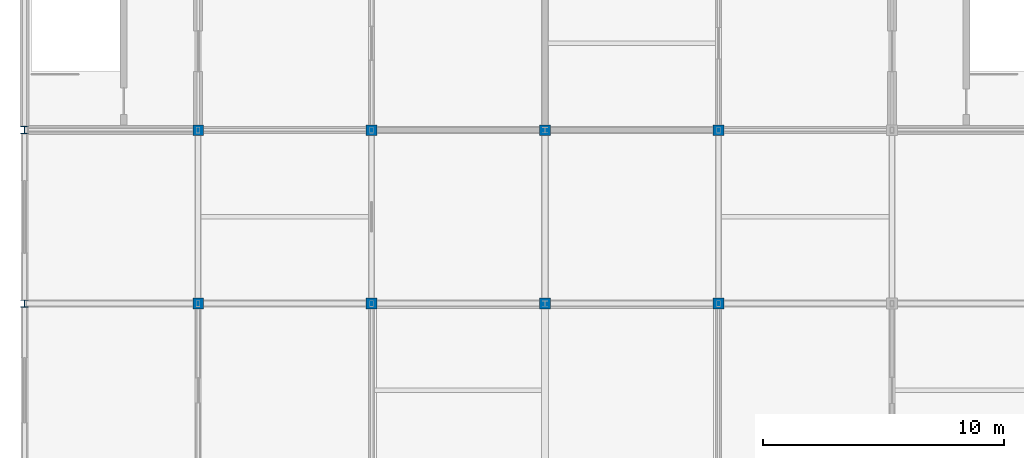
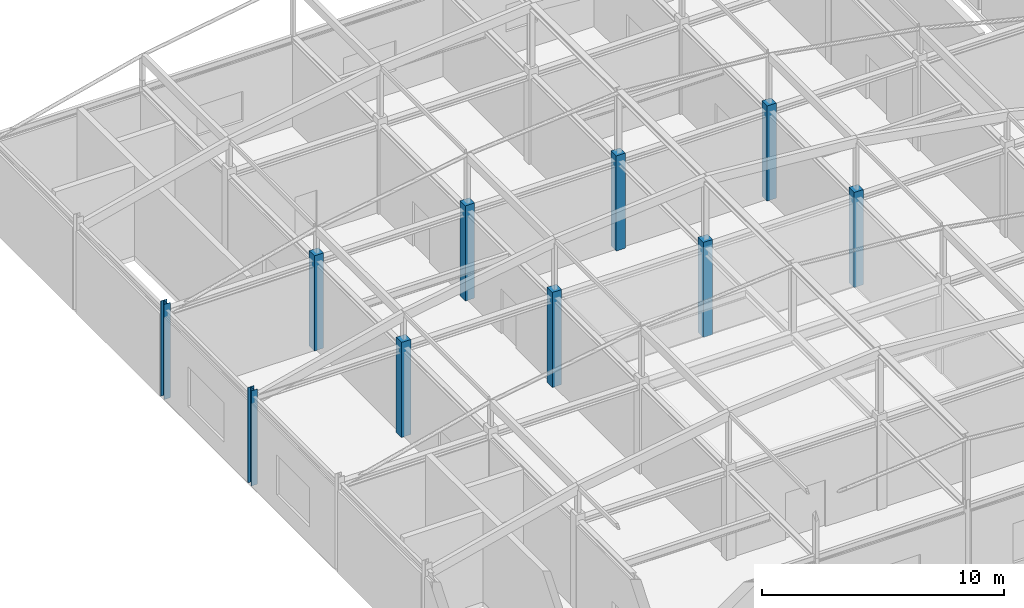
# One storey, part 3 of 23: 10 columns.
"""IFC4 building model written with IfcOpenShell, lengths in metres."""

from ifc_helpers import new_model, si_unit, direction, frame, origin, origin_2d, place, context, subcontext, project, spatial, rectangle, i_section, extrude, material, material_profile, profile_set, type_object, element, save


model = new_model("IFC4")

# Units and contexts
model_context = context("Model", 3, precision=1e-05, world=origin(), true_north=direction((0.0, 1.0)))
body_context = subcontext(model_context, "Body", "Model", "MODEL_VIEW")
ifc_project = project(units=[si_unit("LENGTHUNIT", "METRE"), si_unit("AREAUNIT", "SQUARE_METRE"), si_unit("VOLUMEUNIT", "CUBIC_METRE"), si_unit("PLANEANGLEUNIT", "RADIAN"), si_unit("MASSUNIT", "GRAM", prefix="KILO")], contexts=[model_context])

# Site, building, storey
site_placement = place(None, origin())
site = spatial("IfcSite", under=ifc_project, at=site_placement, CompositionType="ELEMENT")
building_placement = place(site_placement, origin())
building = spatial("IfcBuilding", under=site, at=building_placement, Name="Cendaluz Park School", CompositionType="ELEMENT")
storey_placement = place(building_placement, frame((0.0, 0.0, 67.199951171875)))
storey = spatial("IfcBuildingStorey", under=building, at=storey_placement, Name="L16", CompositionType="ELEMENT", Elevation=67.199951171875)

# Columns
ifc_material_1 = material(Name="Glulam GL32h", Category="wood")
ifc_material_profile_1 = material_profile(ifc_material_1, rectangle(XDim=0.43994140625, YDim=0.43994140625, at=origin_2d()), Name="GL32h 440x440", Category="wood")
ifc_profile_set_1 = profile_set([ifc_material_profile_1], Name="Glulam GL32h")
column_type_1 = type_object("IfcColumnType", Name="C-GL03", PredefinedType="COLUMN", material=ifc_profile_set_1)
for number, where, z_axis, x_axis, name in (
    (1, (72.0, 36.0, 0.0), (0.0, 0.0, 1.0), (1.0, 0.0, 0.0), "C-L16-CGL03-011"),
    (2, (72.0, 43.199951171875, 0.0), (0.0, 0.0, 1.0), (1.0, 0.0, 0.0), "C-L16-CGL03-012"),
    (3, (79.199951171875, 36.0, 0.0), (0.0, 0.0, 1.0), (1.0, 0.0, 0.0), "C-L16-CGL03-018"),
    (4, (79.199951171875, 43.199951171875, 0.0), (0.0, 0.0, 1.0), (1.0, 0.0, 0.0), "C-L16-CGL03-019"),
    (5, (86.39990234375, 36.0, 0.0), (0.0, 0.0, 1.0), (1.0, 0.0, 0.0), "C-L16-CGL03-024"),
    (6, (86.39990234375, 43.199951171875, 0.0), (0.0, 0.0, 1.0), (1.0, 0.0, 0.0), "C-L16-CGL03-025"),
    (7, (93.60009765625, 36.0, 0.0), (0.0, 0.0, 1.0), (1.0, 0.0, 0.0), "C-L16-CGL03-031"),
    (8, (93.60009765625, 43.199951171875, 0.0), (0.0, 0.0, 1.0), (1.0, 0.0, 0.0), "C-L16-CGL03-032"),
):
    element("IfcColumn", number, at=place(storey_placement, frame(where, z_axis=z_axis, x_axis=x_axis)), inside=storey, type_object=column_type_1, Name=name, PredefinedType="COLUMN", context=body_context, shape_type="SweptSolid", body=[
        extrude(rectangle(XDim=0.43994140625, YDim=0.43994140625, at=origin_2d()), origin(), (0.0, 0.0, 1.0), 4.800048828125),
    ])
ifc_material_2 = material(Name="Steel S355", Category="steel")
ifc_material_profile_2 = material_profile(ifc_material_2, i_section(OverallWidth=0.300048828125, OverallDepth=0.300048828125, WebThickness=0.010986328125, FlangeThickness=0.01904296875, FilletRadius=0.027099609375, at=origin_2d()), Name="HEB 300", Category="steel")
ifc_profile_set_2 = profile_set([ifc_material_profile_2], Name="Steel S355")
column_type_2 = type_object("IfcColumnType", Name="C-ST01", PredefinedType="COLUMN", material=ifc_profile_set_2)
column_1_placement = place(storey_placement, frame((64.800048828125, 43.199951171875, 0.0), z_axis=(0.0, 0.0, 1.0), x_axis=(1.0, 0.0, 0.0)))
element("IfcColumn", 9, at=column_1_placement, inside=storey, type_object=column_type_2, Name="C-L16-CST01-005", PredefinedType="COLUMN", context=body_context, shape_type="SweptSolid", body=[
    extrude(i_section(OverallWidth=0.300048828125, OverallDepth=0.300048828125, WebThickness=0.010986328125, FlangeThickness=0.01904296875, FilletRadius=0.027099609375, at=origin_2d()), origin(), (0.0, 0.0, 1.0), 4.800048828125),
])
ifc_material_profile_3 = material_profile(ifc_material_2, i_section(OverallWidth=0.300048828125, OverallDepth=0.2900390625, WebThickness=0.009033203125, FlangeThickness=0.013916015625, FilletRadius=0.027099609375, at=origin_2d()), Name="HEA 300", Category="steel")
ifc_profile_set_3 = profile_set([ifc_material_profile_3], Name="Steel S355")
column_type_3 = type_object("IfcColumnType", Name="C-ST02", PredefinedType="COLUMN", material=ifc_profile_set_3)
column_2_placement = place(storey_placement, frame((64.800048828125, 36.0, 0.0), z_axis=(0.0, 0.0, 1.0), x_axis=(1.0, 0.0, 0.0)))
element("IfcColumn", 10, at=column_2_placement, inside=storey, type_object=column_type_3, Name="C-L16-CST02-004", PredefinedType="COLUMN", context=body_context, shape_type="SweptSolid", body=[
    extrude(i_section(OverallWidth=0.300048828125, OverallDepth=0.2900390625, WebThickness=0.009033203125, FlangeThickness=0.013916015625, FilletRadius=0.027099609375, at=origin_2d()), origin(), (0.0, 0.0, 1.0), 4.800048828125),
])

save(model, "model.ifc")
